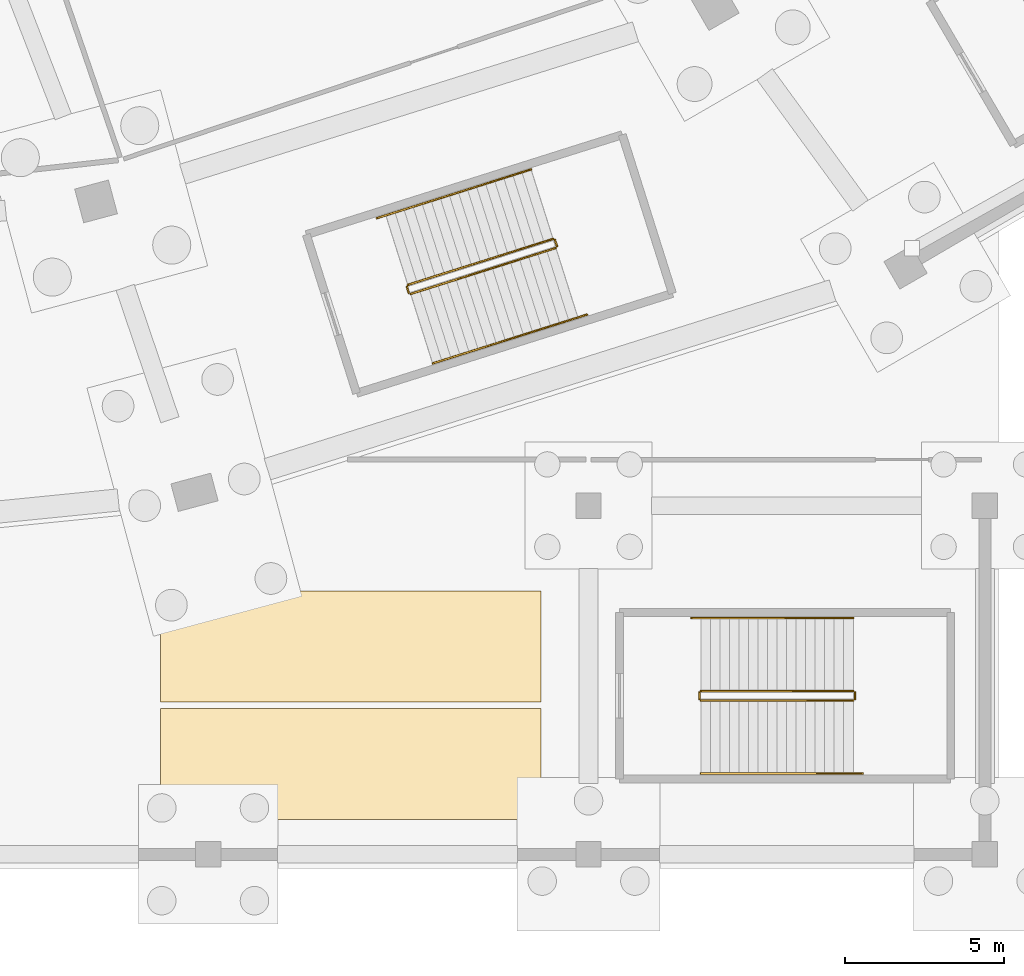
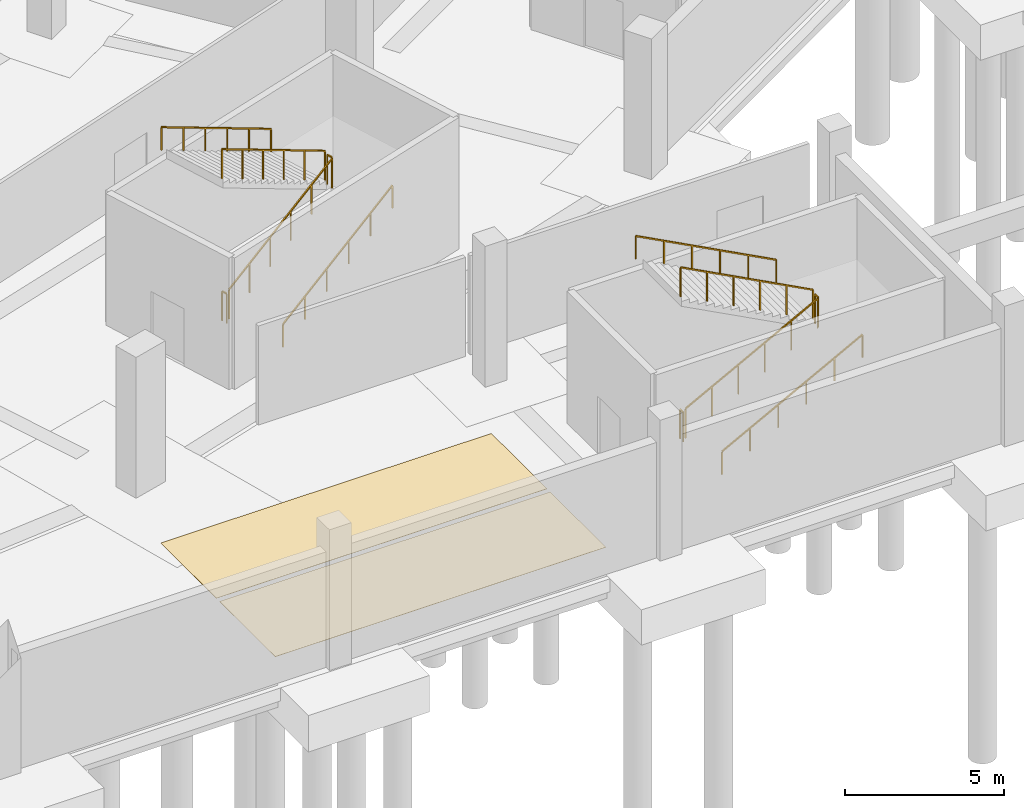
# One storey, part 61 of 74: 12 railings, 2 coverings.
"""IFC4 building model written with IfcOpenShell, lengths in metres."""

import ifcopenshell
import ifcopenshell.guid

model = None  # the IFC model being written
_history = None  # IfcOwnerHistory: only IFC2X3 demands one
_inside = {}  # id of a spatial element -> (the spatial element, [elements in it])
_under = {}  # id of a project, library or spatial element -> (it, [spatial elements below it])
_declared = {}  # id of a project -> (the project, [libraries it declares])
_typed = {}  # id of a type object -> (the type object, [elements of that type])
_made_of = {}  # id of a material, layer set ... -> (it, [elements and type objects made of it])


def new_model(schema):
    """Start an empty IFC model of exactly this schema.

    Asked for "IFC4X3", IfcOpenShell would pick the latest addendum, in which some entities
    have other attributes; the version numbers below select the first issue.
    IFC2X3 requires an IfcOwnerHistory on every rooted entity: one is made here for all.
    """
    global model, _history
    if schema == "IFC4X3":
        model = ifcopenshell.file(schema_version=(4, 3, 0, 0))
    else:
        model = ifcopenshell.file(schema=schema)
    _inside.clear()
    _under.clear()
    _declared.clear()
    _typed.clear()
    _made_of.clear()
    _history = None
    if model.schema == "IFC2X3":
        org = make("IfcOrganization", Name="unknown")
        user = make(
            "IfcPersonAndOrganization",
            ThePerson=make("IfcPerson", FamilyName="unknown"),
            TheOrganization=org,
        )
        app = make(
            "IfcApplication",
            ApplicationDeveloper=org,
            Version="unknown",
            ApplicationFullName="unknown",
            ApplicationIdentifier="unknown",
        )
        _history = make(
            "IfcOwnerHistory",
            OwningUser=user,
            OwningApplication=app,
            ChangeAction="ADDED",
            CreationDate=0,
        )
    return model


def make(cls, **values):
    """One entity of the class cls with the attributes given. An attribute that is None is left unset."""
    return model.create_entity(
        cls, **{name: value for name, value in values.items() if value is not None}
    )


def rooted(cls, **values):
    """An entity with a GlobalId (a new one), such as an element, a storey or a relation."""
    return make(cls, GlobalId=ifcopenshell.guid.new(), OwnerHistory=_history, **values)


def si_unit(unit_type, name, prefix=None):
    """IfcSIUnit, for example si_unit("LENGTHUNIT", "METRE", prefix="MILLI")."""
    return make("IfcSIUnit", UnitType=unit_type, Prefix=prefix, Name=name)


def assignment(units):
    """IfcUnitAssignment: the units of a project."""
    return None if units is None else make("IfcUnitAssignment", Units=units)


def point(xyz):
    """IfcCartesianPoint."""
    return None if xyz is None else make("IfcCartesianPoint", Coordinates=xyz)


def direction(xyz):
    """IfcDirection."""
    return None if xyz is None else make("IfcDirection", DirectionRatios=xyz)


def frame(location, z_axis=None, x_axis=None):
    """IfcAxis2Placement3D, a coordinate frame: its origin and axes. An axis left out is left unset."""
    return make(
        "IfcAxis2Placement3D",
        Location=point(location),
        Axis=direction(z_axis),
        RefDirection=direction(x_axis),
    )


def frame_2d(location, x_axis=None):
    """IfcAxis2Placement2D, a coordinate frame in the plane: its origin and x axis."""
    return make(
        "IfcAxis2Placement2D", Location=point(location), RefDirection=direction(x_axis)
    )


def origin():
    """The frame at (0, 0, 0) with its axes left unset."""
    return frame((0.0, 0.0, 0.0))


def origin_2d():
    """The frame at (0, 0) in the plane with its x axis left unset."""
    return frame_2d((0.0, 0.0))


def place(relative_to, where):
    """IfcLocalPlacement: puts the frame where relative to a parent placement (None: the world)."""
    return make(
        "IfcLocalPlacement", PlacementRelTo=relative_to, RelativePlacement=where
    )


def context(
    kind, dimensions, precision=None, world=None, true_north=None, identifier=None
):
    """IfcGeometricRepresentationContext, for example the 3D "Model" context."""
    return make(
        "IfcGeometricRepresentationContext",
        ContextIdentifier=identifier,
        ContextType=kind,
        CoordinateSpaceDimension=dimensions,
        Precision=precision,
        WorldCoordinateSystem=world,
        TrueNorth=true_north,
    )


def subcontext(parent, identifier, kind, view, scale=None):
    """IfcGeometricRepresentationSubContext, for example "Body" below "Model"."""
    return make(
        "IfcGeometricRepresentationSubContext",
        ContextIdentifier=identifier,
        ContextType=kind,
        ParentContext=parent,
        TargetScale=scale,
        TargetView=view,
    )


def project(units=None, contexts=None):
    """IfcProject with its units and contexts."""
    return rooted(
        "IfcProject",
        Name="project",
        RepresentationContexts=contexts,
        UnitsInContext=assignment(units),
    )


def spatial(cls, under=None, at=None, **own):
    """A site, building, storey or space (cls), placed at a placement, below another one or the project."""
    s = rooted(cls, ObjectPlacement=at, **own)
    if under is not None:
        _under.setdefault(under.id(), (under, []))[1].append(s)
    return s


def polyline(points):
    """IfcPolyline through the points."""
    return make("IfcPolyline", Points=[point(p) for p in points])


def profile(cls, at=None, kind="AREA", **sizes):
    """A parametric profile (cls). Its sizes go by their IFC names, for example OverallWidth=200.0."""
    return make(cls, ProfileType=kind, Position=at, **sizes)


def rectangle(**sizes):
    """IfcRectangleProfileDef."""
    return profile("IfcRectangleProfileDef", **sizes)


def outline(outer, holes=None, kind="AREA"):
    """IfcArbitraryClosedProfileDef: a profile drawn as a closed curve; with holes, ...WithVoids."""
    if holes is None:
        return make("IfcArbitraryClosedProfileDef", ProfileType=kind, OuterCurve=outer)
    return make(
        "IfcArbitraryProfileDefWithVoids",
        ProfileType=kind,
        OuterCurve=outer,
        InnerCurves=holes,
    )


def extrude(swept, where, along, depth):
    """IfcExtrudedAreaSolid: the profile swept, set in the frame where, extruded along a direction by depth."""
    return make(
        "IfcExtrudedAreaSolid",
        SweptArea=swept,
        Position=where,
        ExtrudedDirection=direction(along),
        Depth=depth,
    )


def shape(context_of_items, identifier, shape_type, items):
    """IfcShapeRepresentation: the items that make up one representation, for example the "Body"."""
    return make(
        "IfcShapeRepresentation",
        ContextOfItems=context_of_items,
        RepresentationIdentifier=identifier,
        RepresentationType=shape_type,
        Items=items,
    )


def material(Name=None, Category=None):
    """IfcMaterial."""
    return make("IfcMaterial", Name=Name, Category=Category)


def layer(
    of_material, thickness, ventilated=None, Name=None, Category=None, Priority=None
):
    """IfcMaterialLayer: one layer of a wall or slab, of a material (None: an air gap)."""
    return make(
        "IfcMaterialLayer",
        Material=of_material,
        LayerThickness=thickness,
        IsVentilated=ventilated,
        Name=Name,
        Category=Category,
        Priority=Priority,
    )


def layer_set(layers, Name=None):
    """IfcMaterialLayerSet."""
    return make("IfcMaterialLayerSet", MaterialLayers=layers, LayerSetName=Name)


def made_of(thing, what):
    """Note that an element or type object is made of a material, layer set ...; save() writes the relation."""
    if what is not None:
        _made_of.setdefault(what.id(), (what, []))[1].append(thing)
    return thing


def type_object(cls, material=None, **own):
    """A type object (cls), such as IfcWallType, which elements share."""
    return made_of(rooted(cls, **own), material)


def element(
    cls,
    number,
    at=None,
    inside=None,
    cuts=None,
    type_object=None,
    material=None,
    context=None,
    identifier="Body",
    shape_type=None,
    held_by="IfcProductDefinitionShape",
    body=None,
    shapes=None,
    **own,
):
    """One element of the class cls, such as IfcWall. Its Tag is "e" and its number.

    at: its placement. inside: the storey or other place that contains it. cuts: it is an
    opening in that element (IfcRelVoidsElement). A single representation is given by context,
    identifier, shape_type and body (its items); several are given by shapes. held_by: the class
    of the entity that holds the representations. save() writes the other relations.
    """
    e = rooted(cls, Tag="e%d" % number, ObjectPlacement=at, **own)
    if body is not None:
        shapes = [shape(context, identifier, shape_type, body)]
    if shapes is not None:
        e.Representation = make(held_by, Representations=shapes)
    if inside is not None:
        _inside.setdefault(inside.id(), (inside, []))[1].append(e)
    if cuts is not None:
        rooted(
            "IfcRelVoidsElement", RelatingBuildingElement=cuts, RelatedOpeningElement=e
        )
    if type_object is not None:
        _typed.setdefault(type_object.id(), (type_object, []))[1].append(e)
    return made_of(e, material)


def aggregate(whole, parts):
    """IfcRelAggregates: a whole, such as a stair, and the parts it consists of."""
    return rooted("IfcRelAggregates", RelatingObject=whole, RelatedObjects=parts)


def save(model, path):
    """Write the relations noted so far, then the file.

    IfcRelAggregates (storeys below a building ...), IfcRelContainedInSpatialStructure (elements
    in a storey), IfcRelDefinesByType, IfcRelAssociatesMaterial and IfcRelDeclares: one each for
    every whole, place, type object, material and project.
    """
    for whole, parts in _under.values():
        aggregate(whole, parts)
    for where, things in _inside.values():
        rooted(
            "IfcRelContainedInSpatialStructure",
            RelatedElements=things,
            RelatingStructure=where,
        )
    for kind, things in _typed.values():
        rooted("IfcRelDefinesByType", RelatedObjects=things, RelatingType=kind)
    for what, things in _made_of.values():
        rooted("IfcRelAssociatesMaterial", RelatedObjects=things, RelatingMaterial=what)
    for by, libraries in _declared.values():
        rooted("IfcRelDeclares", RelatingContext=by, RelatedDefinitions=libraries)
    model.write(path)


model = new_model("IFC4")

# Units and contexts
model_context = context("Model", 3, precision=1e-05, world=origin(), true_north=direction((0.0, 1.0)))
body_context = subcontext(model_context, "Body", "Model", "MODEL_VIEW")
ifc_project = project(units=[si_unit("LENGTHUNIT", "METRE"), si_unit("AREAUNIT", "SQUARE_METRE"), si_unit("VOLUMEUNIT", "CUBIC_METRE"), si_unit("PLANEANGLEUNIT", "RADIAN"), si_unit("MASSUNIT", "GRAM", prefix="KILO")], contexts=[model_context])

# Site, building, storey
site_placement = place(None, origin())
site = spatial("IfcSite", under=ifc_project, at=site_placement, CompositionType="ELEMENT")
building_placement = place(site_placement, origin())
building = spatial("IfcBuilding", under=site, at=building_placement, Name="Zlatoyarsky Gate Stadium", CompositionType="ELEMENT")
storey_placement = place(building_placement, frame((0.0, 0.0, -5.39990234375)))
storey = spatial("IfcBuildingStorey", under=building, at=storey_placement, Name="B1", CompositionType="ELEMENT", Elevation=-5.39990234375)

# Coverings
ifc_material_1 = material(Name="Reflective epoxy resin parking bay marking")
ifc_layer = layer(ifc_material_1, 0.010009765625)
ifc_layer_set = layer_set([ifc_layer], Name="Reflective epoxy resin parking bay marking")
covering_type = type_object("IfcCoveringType", Name="EPOXY PAINTED PARKING BAY MARKING 10", PredefinedType="USERDEFINED", material=ifc_layer_set)
covering_1_placement = place(storey_placement, origin())
element("IfcCovering", 1, at=covering_1_placement, inside=storey, type_object=covering_type, Name="Parking Bay Marking OB-BAY-05", ObjectType="ROAD MARKING", PredefinedType="USERDEFINED", context=body_context, shape_type="SweptSolid", body=[
    extrude(outline(polyline([(134.0, 1.10009765625), (146.0, 1.10009765625), (146.0, 4.60009765625), (134.0, 4.60009765625), (134.0, 1.10009765625)])), origin(), (0.0, 0.0, 1.0), 0.010009765625),
])
covering_2_placement = place(storey_placement, origin())
element("IfcCovering", 2, at=covering_2_placement, inside=storey, type_object=covering_type, Name="Parking Bay Marking OB-BAY-06", ObjectType="ROAD MARKING", PredefinedType="USERDEFINED", context=body_context, shape_type="SweptSolid", body=[
    extrude(outline(polyline([(134.0, 4.800048828125), (146.0, 4.800048828125), (146.0, 8.300048828125), (134.0, 8.300048828125), (134.0, 4.800048828125)])), origin(), (0.0, 0.0, 1.0), 0.010009765625),
])

# Railings
ifc_material_2 = material(Name="Powder-coated steel stair guardrail", Category="steel")
railing_type_1 = type_object("IfcRailingType", Name="PAINTED STEEL STAIR WELL GUARDRAIL 1150", PredefinedType="GUARDRAIL", material=ifc_material_2)
railing_1_placement = place(storey_placement, frame((141.891357421875, 17.678466796875, 0.15869140625)))
element("IfcRailing", 3, at=railing_1_placement, inside=storey, type_object=railing_type_1, Name="ST-16 B1 stair guard 1", PredefinedType="GUARDRAIL", context=body_context, shape_type="SweptSolid", body=[
    extrude(rectangle(XDim=0.048095703125, YDim=0.048095703125, at=origin_2d()), frame((0.0, 0.0, 1.1259765625), z_axis=(0.842654327269, 0.266470439136, 0.467896558868), x_axis=(-0.301511080938, 0.953462672616, 0.0)), (0.0, 0.0, 1.0), 5.43115234375),
    extrude(rectangle(XDim=0.0419921875, YDim=0.0419921875, at=origin_2d()), origin(), (0.0, 0.0, 1.0), 1.101806640625),
    extrude(rectangle(XDim=0.0419921875, YDim=0.0419921875, at=origin_2d()), frame((0.915283203125, 0.28955078125, 0.50830078125)), (0.0, 0.0, 1.0), 1.101806640625),
    extrude(rectangle(XDim=0.0419921875, YDim=0.0419921875, at=origin_2d()), frame((1.83056640625, 0.578857421875, 1.0166015625)), (0.0, 0.0, 1.0), 1.101806640625),
    extrude(rectangle(XDim=0.0419921875, YDim=0.0419921875, at=origin_2d()), frame((2.74609375, 0.868408203125, 1.524658203125)), (0.0, 0.0, 1.0), 1.101806640625),
    extrude(rectangle(XDim=0.0419921875, YDim=0.0419921875, at=origin_2d()), frame((3.661376953125, 1.15771484375, 2.032958984375)), (0.0, 0.0, 1.0), 1.101806640625),
    extrude(rectangle(XDim=0.0419921875, YDim=0.0419921875, at=origin_2d()), frame((4.57666015625, 1.447265625, 2.541259765625)), (0.0, 0.0, 1.0), 1.101806640625),
])
railing_2_placement = place(storey_placement, frame((146.500732421875, 19.1884765625, 2.699951171875)))
element("IfcRailing", 4, at=railing_2_placement, inside=storey, type_object=railing_type_1, Name="ST-16 B1 stair guard 2", PredefinedType="GUARDRAIL", context=body_context, shape_type="SweptSolid", body=[
    extrude(rectangle(XDim=0.048095703125, YDim=0.048095703125, at=origin_2d()), frame((0.0, 0.0, 1.1259765625), z_axis=(-0.301540327315, 0.953453423615, 0.0), x_axis=(-0.953453423615, -0.301540327315, 0.0)), (0.0, 0.0, 1.0), 0.199951171875),
    extrude(rectangle(XDim=0.0419921875, YDim=0.0419921875, at=origin_2d()), origin(), (0.0, 0.0, 1.0), 1.101806640625),
    extrude(rectangle(XDim=0.0419921875, YDim=0.0419921875, at=origin_2d()), frame((-0.060302734375, 0.190673828125, 0.0)), (0.0, 0.0, 1.0), 1.101806640625),
])
railing_3_placement = place(storey_placement, frame((146.377685546875, 19.41162109375, 2.858642578125)))
element("IfcRailing", 5, at=railing_3_placement, inside=storey, type_object=railing_type_1, Name="ST-16 B1 stair guard 3", PredefinedType="GUARDRAIL", context=body_context, shape_type="SweptSolid", body=[
    extrude(rectangle(XDim=0.048095703125, YDim=0.048095703125, at=origin_2d()), frame((0.0, 0.0, 1.1259765625), z_axis=(-0.842654327269, -0.266470439136, 0.467896558868), x_axis=(0.301511080938, -0.953462672616, 0.0)), (0.0, 0.0, 1.0), 5.43115234375),
    extrude(rectangle(XDim=0.0419921875, YDim=0.0419921875, at=origin_2d()), origin(), (0.0, 0.0, 1.0), 1.101806640625),
    extrude(rectangle(XDim=0.0419921875, YDim=0.0419921875, at=origin_2d()), frame((-0.915283203125, -0.28955078125, 0.50830078125)), (0.0, 0.0, 1.0), 1.101806640625),
    extrude(rectangle(XDim=0.0419921875, YDim=0.0419921875, at=origin_2d()), frame((-1.83056640625, -0.578857421875, 1.0166015625)), (0.0, 0.0, 1.0), 1.101806640625),
    extrude(rectangle(XDim=0.0419921875, YDim=0.0419921875, at=origin_2d()), frame((-2.74609375, -0.868408203125, 1.524658203125)), (0.0, 0.0, 1.0), 1.101806640625),
    extrude(rectangle(XDim=0.0419921875, YDim=0.0419921875, at=origin_2d()), frame((-3.661376953125, -1.15771484375, 2.032958984375)), (0.0, 0.0, 1.0), 1.101806640625),
    extrude(rectangle(XDim=0.0419921875, YDim=0.0419921875, at=origin_2d()), frame((-4.57666015625, -1.447265625, 2.541259765625)), (0.0, 0.0, 1.0), 1.101806640625),
])
railing_4_placement = place(storey_placement, frame((141.82861328125, 17.7109375, 0.0)))
element("IfcRailing", 6, at=railing_4_placement, inside=storey, type_object=railing_type_1, Name="ST-16 B1 stair guard 4", PredefinedType="GUARDRAIL", context=body_context, shape_type="SweptSolid", body=[
    extrude(rectangle(XDim=0.048095703125, YDim=0.048095703125, at=origin_2d()), frame((0.0, 0.0, 1.1259765625), z_axis=(-0.301540327315, 0.953453423615, 0.0), x_axis=(-0.953453423615, -0.301540327315, 0.0)), (0.0, 0.0, 1.0), 0.199951171875),
    extrude(rectangle(XDim=0.0419921875, YDim=0.0419921875, at=origin_2d()), origin(), (0.0, 0.0, 1.0), 1.101806640625),
    extrude(rectangle(XDim=0.0419921875, YDim=0.0419921875, at=origin_2d()), frame((-0.060302734375, 0.190673828125, 0.0)), (0.0, 0.0, 1.0), 1.101806640625),
])
railing_5_placement = place(storey_placement, frame((151.050048828125, 4.85009765625, 0.15869140625)))
element("IfcRailing", 7, at=railing_5_placement, inside=storey, type_object=railing_type_1, Name="ST-30 B1 stair guard 1", PredefinedType="GUARDRAIL", context=body_context, shape_type="SweptSolid", body=[
    extrude(rectangle(XDim=0.048095703125, YDim=0.048095703125, at=origin_2d()), frame((0.0, 0.0, 1.1259765625), z_axis=(0.883783542688, 0.0, 0.467895981682), x_axis=(0.0, 1.0, 0.0)), (0.0, 0.0, 1.0), 5.43115234375),
    extrude(rectangle(XDim=0.0419921875, YDim=0.0419921875, at=origin_2d()), origin(), (0.0, 0.0, 1.0), 1.101806640625),
    extrude(rectangle(XDim=0.0419921875, YDim=0.0419921875, at=origin_2d()), frame((0.9599609375, 0.0, 0.50830078125)), (0.0, 0.0, 1.0), 1.101806640625),
    extrude(rectangle(XDim=0.0419921875, YDim=0.0419921875, at=origin_2d()), frame((1.919921875, 0.0, 1.0166015625)), (0.0, 0.0, 1.0), 1.101806640625),
    extrude(rectangle(XDim=0.0419921875, YDim=0.0419921875, at=origin_2d()), frame((2.880126953125, 0.0, 1.524658203125)), (0.0, 0.0, 1.0), 1.101806640625),
    extrude(rectangle(XDim=0.0419921875, YDim=0.0419921875, at=origin_2d()), frame((3.840087890625, 0.0, 2.032958984375)), (0.0, 0.0, 1.0), 1.101806640625),
    extrude(rectangle(XDim=0.0419921875, YDim=0.0419921875, at=origin_2d()), frame((4.800048828125, 0.0, 2.541259765625)), (0.0, 0.0, 1.0), 1.101806640625),
])
railing_6_placement = place(storey_placement, frame((155.89990234375, 4.89990234375, 2.699951171875)))
element("IfcRailing", 8, at=railing_6_placement, inside=storey, type_object=railing_type_1, Name="ST-30 B1 stair guard 2", PredefinedType="GUARDRAIL", context=body_context, shape_type="SweptSolid", body=[
    extrude(rectangle(XDim=0.048095703125, YDim=0.048095703125, at=origin_2d()), frame((0.0, 0.0, 1.1259765625), z_axis=(0.0, 1.0, 0.0), x_axis=(-1.0, 0.0, 0.0)), (0.0, 0.0, 1.0), 0.2001953125),
    extrude(rectangle(XDim=0.0419921875, YDim=0.0419921875, at=origin_2d()), origin(), (0.0, 0.0, 1.0), 1.101806640625),
    extrude(rectangle(XDim=0.0419921875, YDim=0.0419921875, at=origin_2d()), frame((0.0, 0.2001953125, 0.0)), (0.0, 0.0, 1.0), 1.101806640625),
])
railing_7_placement = place(storey_placement, frame((155.85009765625, 5.14990234375, 2.858642578125)))
element("IfcRailing", 9, at=railing_7_placement, inside=storey, type_object=railing_type_1, Name="ST-30 B1 stair guard 3", PredefinedType="GUARDRAIL", context=body_context, shape_type="SweptSolid", body=[
    extrude(rectangle(XDim=0.048095703125, YDim=0.048095703125, at=origin_2d()), frame((0.0, 0.0, 1.1259765625), z_axis=(-0.883783542688, 0.0, 0.467895981682), x_axis=(0.0, -1.0, 0.0)), (0.0, 0.0, 1.0), 5.43115234375),
    extrude(rectangle(XDim=0.0419921875, YDim=0.0419921875, at=origin_2d()), origin(), (0.0, 0.0, 1.0), 1.101806640625),
    extrude(rectangle(XDim=0.0419921875, YDim=0.0419921875, at=origin_2d()), frame((-0.9599609375, 0.0, 0.50830078125)), (0.0, 0.0, 1.0), 1.101806640625),
    extrude(rectangle(XDim=0.0419921875, YDim=0.0419921875, at=origin_2d()), frame((-1.919921875, 0.0, 1.0166015625)), (0.0, 0.0, 1.0), 1.101806640625),
    extrude(rectangle(XDim=0.0419921875, YDim=0.0419921875, at=origin_2d()), frame((-2.880126953125, 0.0, 1.524658203125)), (0.0, 0.0, 1.0), 1.101806640625),
    extrude(rectangle(XDim=0.0419921875, YDim=0.0419921875, at=origin_2d()), frame((-3.840087890625, 0.0, 2.032958984375)), (0.0, 0.0, 1.0), 1.101806640625),
    extrude(rectangle(XDim=0.0419921875, YDim=0.0419921875, at=origin_2d()), frame((-4.800048828125, 0.0, 2.541259765625)), (0.0, 0.0, 1.0), 1.101806640625),
])
railing_8_placement = place(storey_placement, frame((151.0, 4.89990234375, 0.0)))
element("IfcRailing", 10, at=railing_8_placement, inside=storey, type_object=railing_type_1, Name="ST-30 B1 stair guard 4", PredefinedType="GUARDRAIL", context=body_context, shape_type="SweptSolid", body=[
    extrude(rectangle(XDim=0.048095703125, YDim=0.048095703125, at=origin_2d()), frame((0.0, 0.0, 1.1259765625), z_axis=(0.0, 1.0, 0.0), x_axis=(-1.0, 0.0, 0.0)), (0.0, 0.0, 1.0), 0.2001953125),
    extrude(rectangle(XDim=0.0419921875, YDim=0.0419921875, at=origin_2d()), origin(), (0.0, 0.0, 1.0), 1.101806640625),
    extrude(rectangle(XDim=0.0419921875, YDim=0.0419921875, at=origin_2d()), frame((0.0, 0.2001953125, 0.0)), (0.0, 0.0, 1.0), 1.101806640625),
])
ifc_material_3 = material(Name="Brushed stainless steel 316 handrail", Category="steel")
railing_type_2 = type_object("IfcRailingType", Name="STAINLESS STEEL TUBULAR HANDRAIL 900", PredefinedType="HANDRAIL", material=ifc_material_3)
railing_9_placement = place(storey_placement, frame((142.5849609375, 15.4853515625, 0.162841796875)))
element("IfcRailing", 11, at=railing_9_placement, inside=storey, type_object=railing_type_2, Name="ST-16 B1 stair handrail 1", PredefinedType="HANDRAIL", context=body_context, shape_type="SweptSolid", body=[
    extrude(rectangle(XDim=0.048095703125, YDim=0.048095703125, at=origin_2d()), frame((0.0, 0.0, 0.8759765625), z_axis=(0.842651293376, 0.266498995681, 0.46788575857), x_axis=(-0.301541441746, 0.953453071163, 0.0)), (0.0, 0.0, 1.0), 5.7705078125),
    extrude(rectangle(XDim=0.0419921875, YDim=0.0419921875, at=origin_2d()), origin(), (0.0, 0.0, 1.0), 0.851806640625),
    extrude(rectangle(XDim=0.0419921875, YDim=0.0419921875, at=origin_2d()), frame((0.972412109375, 0.3076171875, 0.5400390625)), (0.0, 0.0, 1.0), 0.851806640625),
    extrude(rectangle(XDim=0.0419921875, YDim=0.0419921875, at=origin_2d()), frame((1.945068359375, 0.615234375, 1.080078125)), (0.0, 0.0, 1.0), 0.851806640625),
    extrude(rectangle(XDim=0.0419921875, YDim=0.0419921875, at=origin_2d()), frame((2.91748046875, 0.922607421875, 1.619873046875)), (0.0, 0.0, 1.0), 0.851806640625),
    extrude(rectangle(XDim=0.0419921875, YDim=0.0419921875, at=origin_2d()), frame((3.89013671875, 1.230224609375, 2.159912109375)), (0.0, 0.0, 1.0), 0.851806640625),
    extrude(rectangle(XDim=0.0419921875, YDim=0.0419921875, at=origin_2d()), frame((4.862548828125, 1.537841796875, 2.699951171875)), (0.0, 0.0, 1.0), 0.851806640625),
])
railing_10_placement = place(storey_placement, frame((145.68408203125, 21.604736328125, 2.86279296875)))
element("IfcRailing", 12, at=railing_10_placement, inside=storey, type_object=railing_type_2, Name="ST-16 B1 stair handrail 2", PredefinedType="HANDRAIL", context=body_context, shape_type="SweptSolid", body=[
    extrude(rectangle(XDim=0.048095703125, YDim=0.048095703125, at=origin_2d()), frame((0.0, 0.0, 0.8759765625), z_axis=(-0.842651293376, -0.266498995681, 0.46788575857), x_axis=(0.301541441746, -0.953453071163, 0.0)), (0.0, 0.0, 1.0), 5.7705078125),
    extrude(rectangle(XDim=0.0419921875, YDim=0.0419921875, at=origin_2d()), origin(), (0.0, 0.0, 1.0), 0.851806640625),
    extrude(rectangle(XDim=0.0419921875, YDim=0.0419921875, at=origin_2d()), frame((-0.972412109375, -0.3076171875, 0.5400390625)), (0.0, 0.0, 1.0), 0.851806640625),
    extrude(rectangle(XDim=0.0419921875, YDim=0.0419921875, at=origin_2d()), frame((-1.945068359375, -0.615234375, 1.080078125)), (0.0, 0.0, 1.0), 0.851806640625),
    extrude(rectangle(XDim=0.0419921875, YDim=0.0419921875, at=origin_2d()), frame((-2.91748046875, -0.922607421875, 1.619873046875)), (0.0, 0.0, 1.0), 0.851806640625),
    extrude(rectangle(XDim=0.0419921875, YDim=0.0419921875, at=origin_2d()), frame((-3.89013671875, -1.230224609375, 2.159912109375)), (0.0, 0.0, 1.0), 0.851806640625),
    extrude(rectangle(XDim=0.0419921875, YDim=0.0419921875, at=origin_2d()), frame((-4.862548828125, -1.537841796875, 2.699951171875)), (0.0, 0.0, 1.0), 0.851806640625),
])
railing_11_placement = place(storey_placement, frame((151.050048828125, 2.550048828125, 0.162841796875)))
element("IfcRailing", 13, at=railing_11_placement, inside=storey, type_object=railing_type_2, Name="ST-30 B1 stair handrail 1", PredefinedType="HANDRAIL", context=body_context, shape_type="SweptSolid", body=[
    extrude(rectangle(XDim=0.048095703125, YDim=0.048095703125, at=origin_2d()), frame((0.0, 0.0, 0.8759765625), z_axis=(0.883785858079, 0.0, 0.467891608238), x_axis=(0.0, 1.0, 0.0)), (0.0, 0.0, 1.0), 5.7705078125),
    extrude(rectangle(XDim=0.0419921875, YDim=0.0419921875, at=origin_2d()), origin(), (0.0, 0.0, 1.0), 0.851806640625),
    extrude(rectangle(XDim=0.0419921875, YDim=0.0419921875, at=origin_2d()), frame((1.02001953125, 0.0, 0.5400390625)), (0.0, 0.0, 1.0), 0.851806640625),
    extrude(rectangle(XDim=0.0419921875, YDim=0.0419921875, at=origin_2d()), frame((2.0400390625, 0.0, 1.080078125)), (0.0, 0.0, 1.0), 0.851806640625),
    extrude(rectangle(XDim=0.0419921875, YDim=0.0419921875, at=origin_2d()), frame((3.059814453125, 0.0, 1.619873046875)), (0.0, 0.0, 1.0), 0.851806640625),
    extrude(rectangle(XDim=0.0419921875, YDim=0.0419921875, at=origin_2d()), frame((4.079833984375, 0.0, 2.159912109375)), (0.0, 0.0, 1.0), 0.851806640625),
    extrude(rectangle(XDim=0.0419921875, YDim=0.0419921875, at=origin_2d()), frame((5.099853515625, 0.0, 2.699951171875)), (0.0, 0.0, 1.0), 0.851806640625),
])
railing_12_placement = place(storey_placement, frame((155.85009765625, 7.449951171875, 2.86279296875)))
element("IfcRailing", 14, at=railing_12_placement, inside=storey, type_object=railing_type_2, Name="ST-30 B1 stair handrail 2", PredefinedType="HANDRAIL", context=body_context, shape_type="SweptSolid", body=[
    extrude(rectangle(XDim=0.048095703125, YDim=0.048095703125, at=origin_2d()), frame((0.0, 0.0, 0.8759765625), z_axis=(-0.883795119882, 0.0, 0.467874113489), x_axis=(0.0, -1.0, 0.0)), (0.0, 0.0, 1.0), 5.770751953125),
    extrude(rectangle(XDim=0.0419921875, YDim=0.0419921875, at=origin_2d()), origin(), (0.0, 0.0, 1.0), 0.851806640625),
    extrude(rectangle(XDim=0.0419921875, YDim=0.0419921875, at=origin_2d()), frame((-1.02001953125, 0.0, 0.5400390625)), (0.0, 0.0, 1.0), 0.851806640625),
    extrude(rectangle(XDim=0.0419921875, YDim=0.0419921875, at=origin_2d()), frame((-2.0400390625, 0.0, 1.080078125)), (0.0, 0.0, 1.0), 0.851806640625),
    extrude(rectangle(XDim=0.0419921875, YDim=0.0419921875, at=origin_2d()), frame((-3.06005859375, 0.0, 1.619873046875)), (0.0, 0.0, 1.0), 0.851806640625),
    extrude(rectangle(XDim=0.0419921875, YDim=0.0419921875, at=origin_2d()), frame((-4.080078125, 0.0, 2.159912109375)), (0.0, 0.0, 1.0), 0.851806640625),
    extrude(rectangle(XDim=0.0419921875, YDim=0.0419921875, at=origin_2d()), frame((-5.10009765625, 0.0, 2.699951171875)), (0.0, 0.0, 1.0), 0.851806640625),
])

save(model, "model.ifc")
